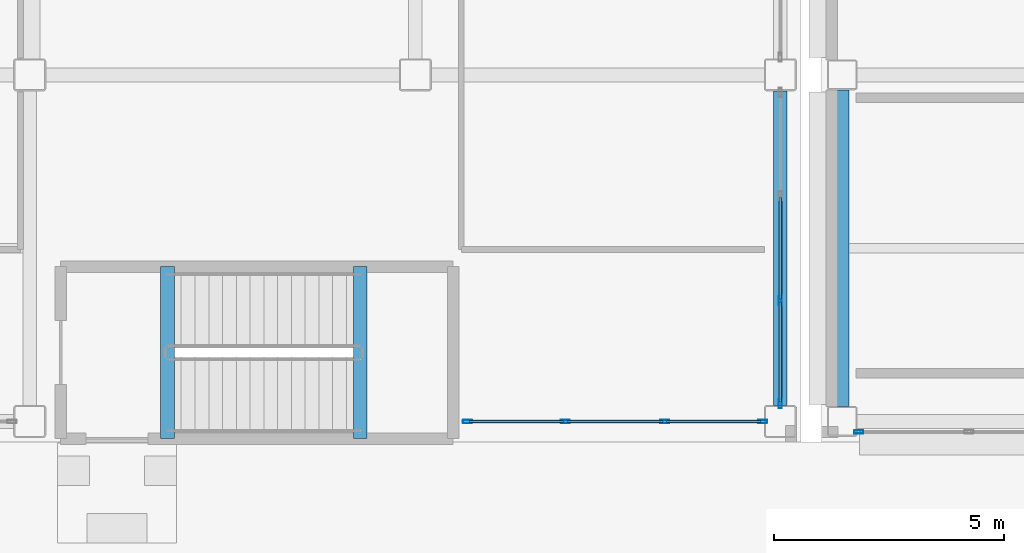
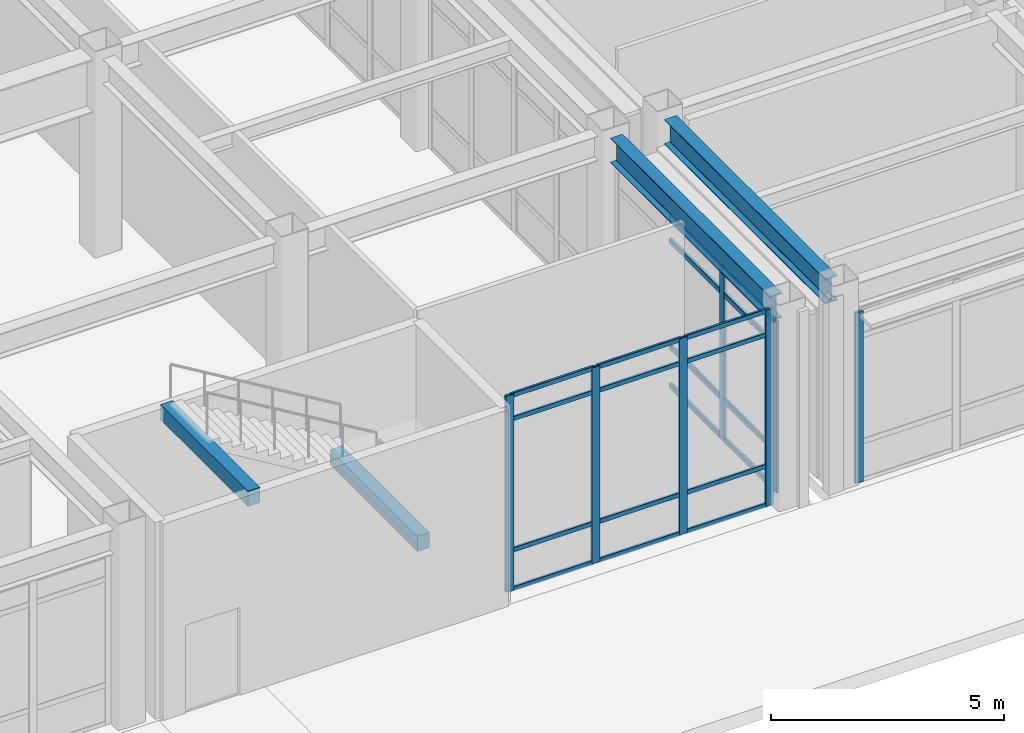
# One storey, part 14 of 165: 27 members, 4 beams, 3 elements without a shape of their own.
"""IFC4 building model written with IfcOpenShell, lengths in metres."""

from ifc_helpers import new_model, si_unit, direction, frame, origin, origin_2d, place, context, subcontext, project, spatial, rectangle, hollow_rectangle, i_section, extrude, material, layer, layer_set, material_profile, profile_set, type_object, element, aggregate, save


model = new_model("IFC4")

# Units and contexts
model_context = context("Model", 3, precision=1e-05, world=origin(), true_north=direction((0.0, 1.0)))
body_context = subcontext(model_context, "Body", "Model", "MODEL_VIEW")
ifc_project = project(units=[si_unit("LENGTHUNIT", "METRE"), si_unit("AREAUNIT", "SQUARE_METRE"), si_unit("VOLUMEUNIT", "CUBIC_METRE"), si_unit("PLANEANGLEUNIT", "RADIAN"), si_unit("MASSUNIT", "GRAM", prefix="KILO")], contexts=[model_context])

# Site, building, storey
site_placement = place(None, origin())
site = spatial("IfcSite", under=ifc_project, at=site_placement, CompositionType="ELEMENT")
building_placement = place(site_placement, origin())
building = spatial("IfcBuilding", under=site, at=building_placement, Name="Kazehara Bluff Congress Hotel", CompositionType="ELEMENT")
storey_placement = place(building_placement, origin())
storey = spatial("IfcBuildingStorey", under=building, at=storey_placement, Name="L00", CompositionType="ELEMENT", Elevation=0.0)

# Curtain wall, members
ifc_material_1 = material(Name="Anodised aluminium", Category="aluminium")
ifc_layer_1 = layer(ifc_material_1, 0.159912109375)
ifc_layer_set_1 = layer_set([ifc_layer_1], Name="Anodised aluminium")
curtain_wall_type_1 = type_object("IfcCurtainWallType", Name="TP-CW-27", PredefinedType="NOTDEFINED", material=ifc_layer_set_1)
curtain_wall_1_placement = place(storey_placement, origin())
curtain_wall_1 = element("IfcCurtainWall", 1, at=curtain_wall_1_placement, inside=storey, type_object=curtain_wall_type_1, Name="L00 curtain wall CW-27 CW-V2-L00-Y45-5150", PredefinedType="NOTDEFINED")
ifc_material_2 = material(Name="Anodised aluminium", Category="aluminium")
ifc_material_profile_1 = material_profile(ifc_material_2, hollow_rectangle(XDim=0.070068359375, YDim=0.199951171875, WallThickness=0.0048828125, InnerFilletRadius=0.0048828125, OuterFilletRadius=0.010009765625, at=origin_2d()))
ifc_profile_set_1 = profile_set([ifc_material_profile_1], Name="Anodised aluminium")
member_type_1 = type_object("IfcMemberType", Name="TP-CWM-03", PredefinedType="MULLION", material=ifc_profile_set_1)
member_1_placement = place(storey_placement, frame((51.534912109375, 0.449951171875, 0.0), z_axis=(0.0, 0.0, 1.0), x_axis=(0.0, 1.0, 0.0)))
member_1 = element("IfcMember", 2, at=member_1_placement, type_object=member_type_1, Name="CW-27 mullion 1", PredefinedType="MULLION", context=body_context, shape_type="SweptSolid", body=[
    extrude(hollow_rectangle(XDim=0.070068359375, YDim=0.199951171875, WallThickness=0.0048828125, InnerFilletRadius=0.0048828125, OuterFilletRadius=0.010009765625, at=origin_2d()), origin(), (0.0, 0.0, 1.0), 5.135009765625),
])
member_2_placement = place(storey_placement, frame((53.666748046875, 0.449951171875, 0.0), z_axis=(0.0, 0.0, 1.0), x_axis=(0.0, 1.0, 0.0)))
member_2 = element("IfcMember", 3, at=member_2_placement, type_object=member_type_1, Name="CW-27 mullion 2", PredefinedType="MULLION", context=body_context, shape_type="SweptSolid", body=[
    extrude(hollow_rectangle(XDim=0.070068359375, YDim=0.199951171875, WallThickness=0.0048828125, InnerFilletRadius=0.0048828125, OuterFilletRadius=0.010009765625, at=origin_2d()), origin(), (0.0, 0.0, 1.0), 5.135009765625),
])
member_3_placement = place(storey_placement, frame((55.833251953125, 0.449951171875, 0.0), z_axis=(0.0, 0.0, 1.0), x_axis=(0.0, 1.0, 0.0)))
member_3 = element("IfcMember", 4, at=member_3_placement, type_object=member_type_1, Name="CW-27 mullion 3", PredefinedType="MULLION", context=body_context, shape_type="SweptSolid", body=[
    extrude(hollow_rectangle(XDim=0.070068359375, YDim=0.199951171875, WallThickness=0.0048828125, InnerFilletRadius=0.0048828125, OuterFilletRadius=0.010009765625, at=origin_2d()), origin(), (0.0, 0.0, 1.0), 5.135009765625),
])
member_4_placement = place(storey_placement, frame((57.965087890625, 0.449951171875, 0.0), z_axis=(0.0, 0.0, 1.0), x_axis=(0.0, 1.0, 0.0)))
member_4 = element("IfcMember", 5, at=member_4_placement, type_object=member_type_1, Name="CW-27 mullion 4", PredefinedType="MULLION", context=body_context, shape_type="SweptSolid", body=[
    extrude(hollow_rectangle(XDim=0.070068359375, YDim=0.199951171875, WallThickness=0.0048828125, InnerFilletRadius=0.0048828125, OuterFilletRadius=0.010009765625, at=origin_2d()), origin(), (0.0, 0.0, 1.0), 5.135009765625),
])

ifc_material_3 = material(Name="Anodised aluminium", Category="aluminium")
ifc_layer_2 = layer(ifc_material_3, 0.159912109375)
ifc_layer_set_2 = layer_set([ifc_layer_2], Name="Anodised aluminium")
curtain_wall_type_2 = type_object("IfcCurtainWallType", Name="TP-CW-31", PredefinedType="NOTDEFINED", material=ifc_layer_set_2)
curtain_wall_2_placement = place(storey_placement, origin())
curtain_wall_2 = element("IfcCurtainWall", 6, at=curtain_wall_2_placement, inside=storey, type_object=curtain_wall_type_2, Name="L00 curtain wall CW-31 CW-V2-L00-X5835-80", PredefinedType="NOTDEFINED")
member_5_placement = place(storey_placement, frame((58.35009765625, 0.8349609375, 0.0), z_axis=(0.0, 0.0, 1.0), x_axis=(-1.0, 0.0, 0.0)))
member_5 = element("IfcMember", 7, at=member_5_placement, type_object=member_type_1, Name="CW-31 mullion 1", PredefinedType="MULLION", context=body_context, shape_type="SweptSolid", body=[
    extrude(hollow_rectangle(XDim=0.070068359375, YDim=0.199951171875, WallThickness=0.0048828125, InnerFilletRadius=0.0048828125, OuterFilletRadius=0.010009765625, at=origin_2d()), origin(), (0.0, 0.0, 1.0), 4.47509765625),
])
member_6_placement = place(storey_placement, frame((58.35009765625, 3.083251953125, 0.0), z_axis=(0.0, 0.0, 1.0), x_axis=(-1.0, 0.0, 0.0)))
member_6 = element("IfcMember", 8, at=member_6_placement, type_object=member_type_1, Name="CW-31 mullion 2", PredefinedType="MULLION", context=body_context, shape_type="SweptSolid", body=[
    extrude(hollow_rectangle(XDim=0.070068359375, YDim=0.199951171875, WallThickness=0.0048828125, InnerFilletRadius=0.0048828125, OuterFilletRadius=0.010009765625, at=origin_2d()), origin(), (0.0, 0.0, 1.0), 4.47509765625),
])

# Curtain wall, member
ifc_material_4 = material(Name="Anodised aluminium", Category="aluminium")
ifc_layer_3 = layer(ifc_material_4, 0.159912109375)
ifc_layer_set_3 = layer_set([ifc_layer_3], Name="Anodised aluminium")
curtain_wall_type_3 = type_object("IfcCurtainWallType", Name="TP-CW-32", PredefinedType="NOTDEFINED", material=ifc_layer_set_3)
curtain_wall_3_placement = place(storey_placement, origin())
curtain_wall_3 = element("IfcCurtainWall", 9, at=curtain_wall_3_placement, inside=storey, type_object=curtain_wall_type_3, Name="L00 curtain wall CW-32 CW-ENC-V4-L00-6368-22", PredefinedType="NOTDEFINED")
member_7_placement = place(storey_placement, frame((60.06005859375, 0.219970703125, 0.0), z_axis=(0.0, 0.0, 1.0), x_axis=(0.0, -1.0, 0.0)))
member_7 = element("IfcMember", 10, at=member_7_placement, type_object=member_type_1, Name="CW-32 mullion 4", PredefinedType="MULLION", context=body_context, shape_type="SweptSolid", body=[
    extrude(hollow_rectangle(XDim=0.070068359375, YDim=0.199951171875, WallThickness=0.0048828125, InnerFilletRadius=0.0048828125, OuterFilletRadius=0.010009765625, at=origin_2d()), origin(), (0.0, 0.0, 1.0), 4.47509765625),
])
aggregate(curtain_wall_3, [member_7])

# Member
ifc_material_5 = material(Name="Anodised aluminium", Category="aluminium")
ifc_material_profile_2 = material_profile(ifc_material_5, hollow_rectangle(XDim=0.06005859375, YDim=0.1201171875, WallThickness=0.00390625, InnerFilletRadius=0.00390625, OuterFilletRadius=0.008056640625, at=origin_2d()))
ifc_profile_set_2 = profile_set([ifc_material_profile_2], Name="Anodised aluminium")
member_type_2 = type_object("IfcMemberType", Name="TP-CWT-01", PredefinedType="USERDEFINED", material=ifc_profile_set_2)
member_8_placement = place(storey_placement, frame((51.570068359375, 0.449951171875, 0.030029296875), z_axis=(1.0, 0.0, 0.0), x_axis=(0.0, 1.0, 0.0)))
member_8 = element("IfcMember", 11, at=member_8_placement, type_object=member_type_2, Name="CW-27 transom 1.1", ObjectType="TRANSOM", PredefinedType="USERDEFINED", context=body_context, shape_type="SweptSolid", body=[
    extrude(hollow_rectangle(XDim=0.06005859375, YDim=0.1201171875, WallThickness=0.00390625, InnerFilletRadius=0.00390625, OuterFilletRadius=0.008056640625, at=origin_2d()), origin(), (0.0, 0.0, 1.0), 2.0615234375),
])

member_9_placement = place(storey_placement, frame((51.570068359375, 0.449951171875, 1.050048828125), z_axis=(1.0, 0.0, 0.0), x_axis=(0.0, 1.0, 0.0)))
member_9 = element("IfcMember", 12, at=member_9_placement, type_object=member_type_2, Name="CW-27 transom 1.2", ObjectType="TRANSOM", PredefinedType="USERDEFINED", context=body_context, shape_type="SweptSolid", body=[
    extrude(hollow_rectangle(XDim=0.06005859375, YDim=0.1201171875, WallThickness=0.00390625, InnerFilletRadius=0.00390625, OuterFilletRadius=0.008056640625, at=origin_2d()), origin(), (0.0, 0.0, 1.0), 2.0615234375),
])

member_10_placement = place(storey_placement, frame((51.570068359375, 0.449951171875, 4.485107421875), z_axis=(1.0, 0.0, 0.0), x_axis=(0.0, 1.0, 0.0)))
member_10 = element("IfcMember", 13, at=member_10_placement, type_object=member_type_2, Name="CW-27 transom 1.3", ObjectType="TRANSOM", PredefinedType="USERDEFINED", context=body_context, shape_type="SweptSolid", body=[
    extrude(hollow_rectangle(XDim=0.06005859375, YDim=0.1201171875, WallThickness=0.00390625, InnerFilletRadius=0.00390625, OuterFilletRadius=0.008056640625, at=origin_2d()), origin(), (0.0, 0.0, 1.0), 2.0615234375),
])

member_11_placement = place(storey_placement, frame((51.570068359375, 0.449951171875, 5.10498046875), z_axis=(1.0, 0.0, 0.0), x_axis=(0.0, 1.0, 0.0)))
member_11 = element("IfcMember", 14, at=member_11_placement, type_object=member_type_2, Name="CW-27 transom 1.4", ObjectType="TRANSOM", PredefinedType="USERDEFINED", context=body_context, shape_type="SweptSolid", body=[
    extrude(hollow_rectangle(XDim=0.06005859375, YDim=0.1201171875, WallThickness=0.00390625, InnerFilletRadius=0.00390625, OuterFilletRadius=0.008056640625, at=origin_2d()), origin(), (0.0, 0.0, 1.0), 2.0615234375),
])

member_12_placement = place(storey_placement, frame((53.70166015625, 0.449951171875, 0.030029296875), z_axis=(1.0, 0.0, 0.0), x_axis=(0.0, 1.0, 0.0)))
member_12 = element("IfcMember", 15, at=member_12_placement, type_object=member_type_2, Name="CW-27 transom 2.1", ObjectType="TRANSOM", PredefinedType="USERDEFINED", context=body_context, shape_type="SweptSolid", body=[
    extrude(hollow_rectangle(XDim=0.06005859375, YDim=0.1201171875, WallThickness=0.00390625, InnerFilletRadius=0.00390625, OuterFilletRadius=0.008056640625, at=origin_2d()), origin(), (0.0, 0.0, 1.0), 2.0966796875),
])

member_13_placement = place(storey_placement, frame((53.70166015625, 0.449951171875, 1.050048828125), z_axis=(1.0, 0.0, 0.0), x_axis=(0.0, 1.0, 0.0)))
member_13 = element("IfcMember", 16, at=member_13_placement, type_object=member_type_2, Name="CW-27 transom 2.2", ObjectType="TRANSOM", PredefinedType="USERDEFINED", context=body_context, shape_type="SweptSolid", body=[
    extrude(hollow_rectangle(XDim=0.06005859375, YDim=0.1201171875, WallThickness=0.00390625, InnerFilletRadius=0.00390625, OuterFilletRadius=0.008056640625, at=origin_2d()), origin(), (0.0, 0.0, 1.0), 2.0966796875),
])

member_14_placement = place(storey_placement, frame((53.70166015625, 0.449951171875, 4.485107421875), z_axis=(1.0, 0.0, 0.0), x_axis=(0.0, 1.0, 0.0)))
member_14 = element("IfcMember", 17, at=member_14_placement, type_object=member_type_2, Name="CW-27 transom 2.3", ObjectType="TRANSOM", PredefinedType="USERDEFINED", context=body_context, shape_type="SweptSolid", body=[
    extrude(hollow_rectangle(XDim=0.06005859375, YDim=0.1201171875, WallThickness=0.00390625, InnerFilletRadius=0.00390625, OuterFilletRadius=0.008056640625, at=origin_2d()), origin(), (0.0, 0.0, 1.0), 2.0966796875),
])

member_15_placement = place(storey_placement, frame((53.70166015625, 0.449951171875, 5.10498046875), z_axis=(1.0, 0.0, 0.0), x_axis=(0.0, 1.0, 0.0)))
member_15 = element("IfcMember", 18, at=member_15_placement, type_object=member_type_2, Name="CW-27 transom 2.4", ObjectType="TRANSOM", PredefinedType="USERDEFINED", context=body_context, shape_type="SweptSolid", body=[
    extrude(hollow_rectangle(XDim=0.06005859375, YDim=0.1201171875, WallThickness=0.00390625, InnerFilletRadius=0.00390625, OuterFilletRadius=0.008056640625, at=origin_2d()), origin(), (0.0, 0.0, 1.0), 2.0966796875),
])

member_16_placement = place(storey_placement, frame((55.868408203125, 0.449951171875, 0.030029296875), z_axis=(1.0, 0.0, 0.0), x_axis=(0.0, 1.0, 0.0)))
member_16 = element("IfcMember", 19, at=member_16_placement, type_object=member_type_2, Name="CW-27 transom 3.1", ObjectType="TRANSOM", PredefinedType="USERDEFINED", context=body_context, shape_type="SweptSolid", body=[
    extrude(hollow_rectangle(XDim=0.06005859375, YDim=0.1201171875, WallThickness=0.00390625, InnerFilletRadius=0.00390625, OuterFilletRadius=0.008056640625, at=origin_2d()), origin(), (0.0, 0.0, 1.0), 2.0615234375),
])

member_17_placement = place(storey_placement, frame((55.868408203125, 0.449951171875, 1.050048828125), z_axis=(1.0, 0.0, 0.0), x_axis=(0.0, 1.0, 0.0)))
member_17 = element("IfcMember", 20, at=member_17_placement, type_object=member_type_2, Name="CW-27 transom 3.2", ObjectType="TRANSOM", PredefinedType="USERDEFINED", context=body_context, shape_type="SweptSolid", body=[
    extrude(hollow_rectangle(XDim=0.06005859375, YDim=0.1201171875, WallThickness=0.00390625, InnerFilletRadius=0.00390625, OuterFilletRadius=0.008056640625, at=origin_2d()), origin(), (0.0, 0.0, 1.0), 2.0615234375),
])

member_18_placement = place(storey_placement, frame((55.868408203125, 0.449951171875, 4.485107421875), z_axis=(1.0, 0.0, 0.0), x_axis=(0.0, 1.0, 0.0)))
member_18 = element("IfcMember", 21, at=member_18_placement, type_object=member_type_2, Name="CW-27 transom 3.3", ObjectType="TRANSOM", PredefinedType="USERDEFINED", context=body_context, shape_type="SweptSolid", body=[
    extrude(hollow_rectangle(XDim=0.06005859375, YDim=0.1201171875, WallThickness=0.00390625, InnerFilletRadius=0.00390625, OuterFilletRadius=0.008056640625, at=origin_2d()), origin(), (0.0, 0.0, 1.0), 2.0615234375),
])

member_19_placement = place(storey_placement, frame((55.868408203125, 0.449951171875, 5.10498046875), z_axis=(1.0, 0.0, 0.0), x_axis=(0.0, 1.0, 0.0)))
member_19 = element("IfcMember", 22, at=member_19_placement, type_object=member_type_2, Name="CW-27 transom 3.4", ObjectType="TRANSOM", PredefinedType="USERDEFINED", context=body_context, shape_type="SweptSolid", body=[
    extrude(hollow_rectangle(XDim=0.06005859375, YDim=0.1201171875, WallThickness=0.00390625, InnerFilletRadius=0.00390625, OuterFilletRadius=0.008056640625, at=origin_2d()), origin(), (0.0, 0.0, 1.0), 2.0615234375),
])

aggregate(curtain_wall_1, [member_1, member_2, member_3, member_4, member_8, member_9, member_10, member_11, member_12, member_13, member_14, member_15, member_16, member_17, member_18, member_19])

ifc_material_6 = material(Name="Anodised aluminium", Category="aluminium")
ifc_material_profile_3 = material_profile(ifc_material_6, hollow_rectangle(XDim=0.06494140625, YDim=0.139892578125, WallThickness=0.00390625, InnerFilletRadius=0.00390625, OuterFilletRadius=0.008056640625, at=origin_2d()))
ifc_profile_set_3 = profile_set([ifc_material_profile_3], Name="Anodised aluminium")
member_type_3 = type_object("IfcMemberType", Name="TP-CWT-02", PredefinedType="USERDEFINED", material=ifc_profile_set_3)
member_20_placement = place(storey_placement, frame((58.35009765625, 0.8701171875, 0.032470703125), z_axis=(0.0, 1.0, 0.0), x_axis=(-1.0, 0.0, 0.0)))
member_20 = element("IfcMember", 23, at=member_20_placement, type_object=member_type_3, Name="CW-31 transom 1.1", ObjectType="TRANSOM", PredefinedType="USERDEFINED", context=body_context, shape_type="SweptSolid", body=[
    extrude(hollow_rectangle(XDim=0.06494140625, YDim=0.139892578125, WallThickness=0.00390625, InnerFilletRadius=0.00390625, OuterFilletRadius=0.008056640625, at=origin_2d()), origin(), (0.0, 0.0, 1.0), 2.17822265625),
])

member_21_placement = place(storey_placement, frame((58.35009765625, 0.8701171875, 1.050048828125), z_axis=(0.0, 1.0, 0.0), x_axis=(-1.0, 0.0, 0.0)))
member_21 = element("IfcMember", 24, at=member_21_placement, type_object=member_type_3, Name="CW-31 transom 1.2", ObjectType="TRANSOM", PredefinedType="USERDEFINED", context=body_context, shape_type="SweptSolid", body=[
    extrude(hollow_rectangle(XDim=0.06494140625, YDim=0.139892578125, WallThickness=0.00390625, InnerFilletRadius=0.00390625, OuterFilletRadius=0.008056640625, at=origin_2d()), origin(), (0.0, 0.0, 1.0), 2.17822265625),
])

member_22_placement = place(storey_placement, frame((58.35009765625, 0.8701171875, 3.824951171875), z_axis=(0.0, 1.0, 0.0), x_axis=(-1.0, 0.0, 0.0)))
member_22 = element("IfcMember", 25, at=member_22_placement, type_object=member_type_3, Name="CW-31 transom 1.3", ObjectType="TRANSOM", PredefinedType="USERDEFINED", context=body_context, shape_type="SweptSolid", body=[
    extrude(hollow_rectangle(XDim=0.06494140625, YDim=0.139892578125, WallThickness=0.00390625, InnerFilletRadius=0.00390625, OuterFilletRadius=0.008056640625, at=origin_2d()), origin(), (0.0, 0.0, 1.0), 2.17822265625),
])

member_23_placement = place(storey_placement, frame((58.35009765625, 0.8701171875, 4.4423828125), z_axis=(0.0, 1.0, 0.0), x_axis=(-1.0, 0.0, 0.0)))
member_23 = element("IfcMember", 26, at=member_23_placement, type_object=member_type_3, Name="CW-31 transom 1.4", ObjectType="TRANSOM", PredefinedType="USERDEFINED", context=body_context, shape_type="SweptSolid", body=[
    extrude(hollow_rectangle(XDim=0.06494140625, YDim=0.139892578125, WallThickness=0.00390625, InnerFilletRadius=0.00390625, OuterFilletRadius=0.008056640625, at=origin_2d()), origin(), (0.0, 0.0, 1.0), 2.17822265625),
])

member_24_placement = place(storey_placement, frame((58.35009765625, 3.118408203125, 0.032470703125), z_axis=(0.0, 1.0, 0.0), x_axis=(-1.0, 0.0, 0.0)))
member_24 = element("IfcMember", 27, at=member_24_placement, type_object=member_type_3, Name="CW-31 transom 2.1", ObjectType="TRANSOM", PredefinedType="USERDEFINED", context=body_context, shape_type="SweptSolid", body=[
    extrude(hollow_rectangle(XDim=0.06494140625, YDim=0.139892578125, WallThickness=0.00390625, InnerFilletRadius=0.00390625, OuterFilletRadius=0.008056640625, at=origin_2d()), origin(), (0.0, 0.0, 1.0), 2.21337890625),
])

member_25_placement = place(storey_placement, frame((58.35009765625, 3.118408203125, 1.050048828125), z_axis=(0.0, 1.0, 0.0), x_axis=(-1.0, 0.0, 0.0)))
member_25 = element("IfcMember", 28, at=member_25_placement, type_object=member_type_3, Name="CW-31 transom 2.2", ObjectType="TRANSOM", PredefinedType="USERDEFINED", context=body_context, shape_type="SweptSolid", body=[
    extrude(hollow_rectangle(XDim=0.06494140625, YDim=0.139892578125, WallThickness=0.00390625, InnerFilletRadius=0.00390625, OuterFilletRadius=0.008056640625, at=origin_2d()), origin(), (0.0, 0.0, 1.0), 2.21337890625),
])

member_26_placement = place(storey_placement, frame((58.35009765625, 3.118408203125, 3.824951171875), z_axis=(0.0, 1.0, 0.0), x_axis=(-1.0, 0.0, 0.0)))
member_26 = element("IfcMember", 29, at=member_26_placement, type_object=member_type_3, Name="CW-31 transom 2.3", ObjectType="TRANSOM", PredefinedType="USERDEFINED", context=body_context, shape_type="SweptSolid", body=[
    extrude(hollow_rectangle(XDim=0.06494140625, YDim=0.139892578125, WallThickness=0.00390625, InnerFilletRadius=0.00390625, OuterFilletRadius=0.008056640625, at=origin_2d()), origin(), (0.0, 0.0, 1.0), 2.21337890625),
])

member_27_placement = place(storey_placement, frame((58.35009765625, 3.118408203125, 4.4423828125), z_axis=(0.0, 1.0, 0.0), x_axis=(-1.0, 0.0, 0.0)))
member_27 = element("IfcMember", 30, at=member_27_placement, type_object=member_type_3, Name="CW-31 transom 2.4", ObjectType="TRANSOM", PredefinedType="USERDEFINED", context=body_context, shape_type="SweptSolid", body=[
    extrude(hollow_rectangle(XDim=0.06494140625, YDim=0.139892578125, WallThickness=0.00390625, InnerFilletRadius=0.00390625, OuterFilletRadius=0.008056640625, at=origin_2d()), origin(), (0.0, 0.0, 1.0), 2.21337890625),
])

aggregate(curtain_wall_2, [member_5, member_6, member_20, member_21, member_22, member_23, member_24, member_25, member_26, member_27])

# Beams
ifc_material_7 = material(Name="Steel SN490B", Category="steel")
ifc_material_profile_4 = material_profile(ifc_material_7, i_section(OverallWidth=0.300048828125, OverallDepth=0.64990234375, WebThickness=0.011962890625, FlangeThickness=0.02001953125, FilletRadius=0.012939453125, at=origin_2d()))
ifc_profile_set_4 = profile_set([ifc_material_profile_4], Name="Steel SN490B")
beam_type_1 = type_object("IfcBeamType", Name="TP-G-03", PredefinedType="BEAM", material=ifc_profile_set_4)
beam_1_placement = place(storey_placement, frame((58.35009765625, 0.800048828125, 4.824951171875), z_axis=(0.0, 1.0, 0.0), x_axis=(-1.0, 0.0, 0.0)))
element("IfcBeam", 31, at=beam_1_placement, inside=storey, type_object=beam_type_1, Name="L00 girder G-03 65", PredefinedType="BEAM", context=body_context, shape_type="SweptSolid", body=[
    extrude(i_section(OverallWidth=0.300048828125, OverallDepth=0.64990234375, WebThickness=0.011962890625, FlangeThickness=0.02001953125, FilletRadius=0.012939453125, at=origin_2d()), origin(), (0.0, 0.0, 1.0), 6.849853515625),
])
beam_2_placement = place(storey_placement, frame((59.699951171875, 0.77490234375, 4.824951171875), z_axis=(0.0, 1.0, 0.0), x_axis=(-1.0, 0.0, 0.0)))
element("IfcBeam", 32, at=beam_2_placement, inside=storey, type_object=beam_type_1, Name="L00 girder G-03 148", PredefinedType="BEAM", context=body_context, shape_type="SweptSolid", body=[
    extrude(i_section(OverallWidth=0.300048828125, OverallDepth=0.64990234375, WebThickness=0.011962890625, FlangeThickness=0.02001953125, FilletRadius=0.012939453125, at=origin_2d()), origin(), (0.0, 0.0, 1.0), 6.900146484375),
])
ifc_material_8 = material(Name="Concrete C40/50", Category="concrete")
ifc_material_profile_5 = material_profile(ifc_material_8, rectangle(XDim=0.300048828125, YDim=0.39990234375, at=origin_2d()))
ifc_profile_set_5 = profile_set([ifc_material_profile_5], Name="Concrete C40/50")
beam_type_2 = type_object("IfcBeamType", Name="TP-LN-02", PredefinedType="LINTEL", material=ifc_profile_set_5)
for number, where, z_axis, x_axis, name in (
    (33, (49.199951171875, 0.074951171875, 2.320068359375), (0.0, 1.0, 0.0), (-1.0, 0.0, 0.0), "L00 ST-05 half-landing support beam 1"),
    (34, (45.0, 0.074951171875, 4.969970703125), (0.0, 1.0, 0.0), (-1.0, 0.0, 0.0), "L01 ST-05 stairwell trimmer beam"),
):
    element("IfcBeam", number, at=place(storey_placement, frame(where, z_axis=z_axis, x_axis=x_axis)), inside=storey, type_object=beam_type_2, Name=name, PredefinedType="LINTEL", context=body_context, shape_type="SweptSolid", body=[
        extrude(rectangle(XDim=0.300048828125, YDim=0.39990234375, at=origin_2d()), origin(), (0.0, 0.0, 1.0), 3.75),
    ])

save(model, "model.ifc")
